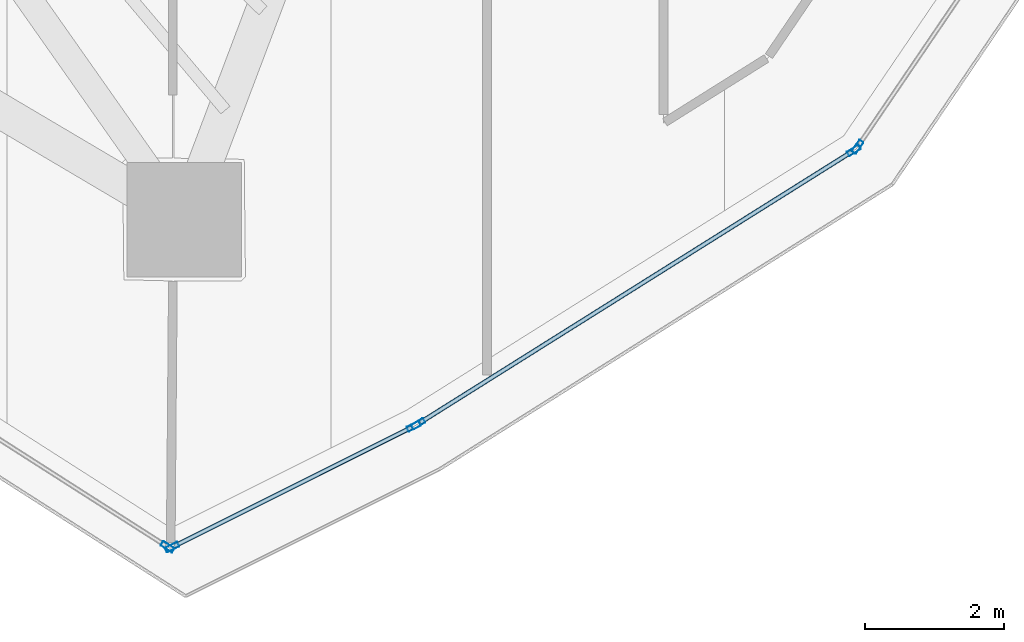
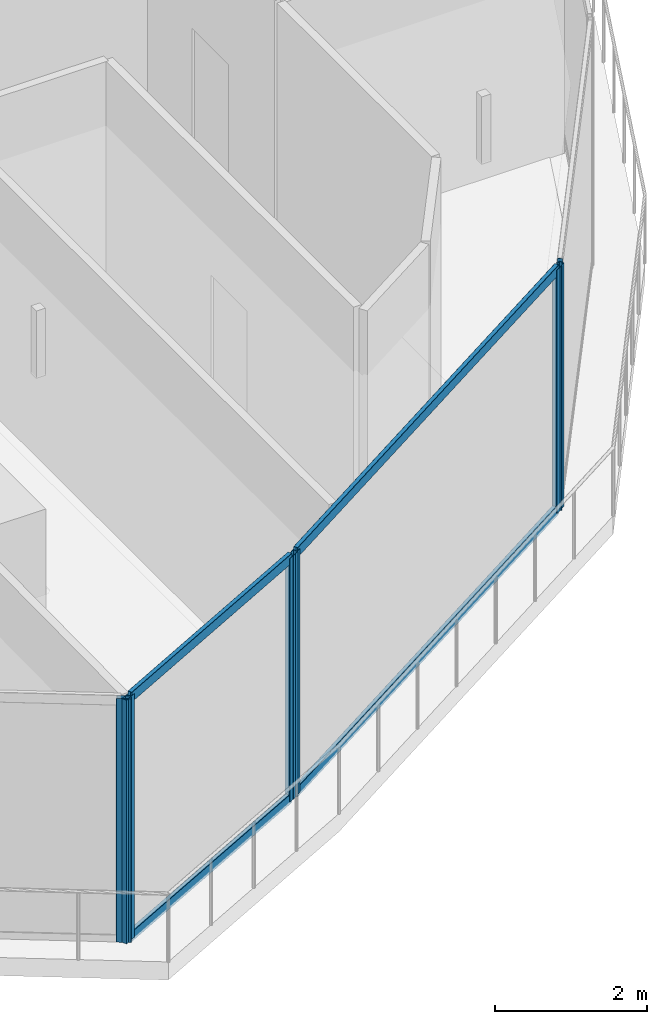
# One storey, part 10 of 33: 10 members, 4 elements without a shape of their own.
"""IFC4 building model written with IfcOpenShell, lengths in metres."""

import ifcopenshell
import ifcopenshell.guid

model = None  # the IFC model being written
_history = None  # IfcOwnerHistory: only IFC2X3 demands one
_inside = {}  # id of a spatial element -> (the spatial element, [elements in it])
_under = {}  # id of a project, library or spatial element -> (it, [spatial elements below it])
_declared = {}  # id of a project -> (the project, [libraries it declares])
_typed = {}  # id of a type object -> (the type object, [elements of that type])
_made_of = {}  # id of a material, layer set ... -> (it, [elements and type objects made of it])


def new_model(schema):
    """Start an empty IFC model of exactly this schema.

    Asked for "IFC4X3", IfcOpenShell would pick the latest addendum, in which some entities
    have other attributes; the version numbers below select the first issue.
    IFC2X3 requires an IfcOwnerHistory on every rooted entity: one is made here for all.
    """
    global model, _history
    if schema == "IFC4X3":
        model = ifcopenshell.file(schema_version=(4, 3, 0, 0))
    else:
        model = ifcopenshell.file(schema=schema)
    _inside.clear()
    _under.clear()
    _declared.clear()
    _typed.clear()
    _made_of.clear()
    _history = None
    if model.schema == "IFC2X3":
        org = make("IfcOrganization", Name="unknown")
        user = make(
            "IfcPersonAndOrganization",
            ThePerson=make("IfcPerson", FamilyName="unknown"),
            TheOrganization=org,
        )
        app = make(
            "IfcApplication",
            ApplicationDeveloper=org,
            Version="unknown",
            ApplicationFullName="unknown",
            ApplicationIdentifier="unknown",
        )
        _history = make(
            "IfcOwnerHistory",
            OwningUser=user,
            OwningApplication=app,
            ChangeAction="ADDED",
            CreationDate=0,
        )
    return model


def make(cls, **values):
    """One entity of the class cls with the attributes given. An attribute that is None is left unset."""
    return model.create_entity(
        cls, **{name: value for name, value in values.items() if value is not None}
    )


def rooted(cls, **values):
    """An entity with a GlobalId (a new one), such as an element, a storey or a relation."""
    return make(cls, GlobalId=ifcopenshell.guid.new(), OwnerHistory=_history, **values)


def si_unit(unit_type, name, prefix=None):
    """IfcSIUnit, for example si_unit("LENGTHUNIT", "METRE", prefix="MILLI")."""
    return make("IfcSIUnit", UnitType=unit_type, Prefix=prefix, Name=name)


def assignment(units):
    """IfcUnitAssignment: the units of a project."""
    return None if units is None else make("IfcUnitAssignment", Units=units)


def point(xyz):
    """IfcCartesianPoint."""
    return None if xyz is None else make("IfcCartesianPoint", Coordinates=xyz)


def direction(xyz):
    """IfcDirection."""
    return None if xyz is None else make("IfcDirection", DirectionRatios=xyz)


def frame(location, z_axis=None, x_axis=None):
    """IfcAxis2Placement3D, a coordinate frame: its origin and axes. An axis left out is left unset."""
    return make(
        "IfcAxis2Placement3D",
        Location=point(location),
        Axis=direction(z_axis),
        RefDirection=direction(x_axis),
    )


def frame_2d(location, x_axis=None):
    """IfcAxis2Placement2D, a coordinate frame in the plane: its origin and x axis."""
    return make(
        "IfcAxis2Placement2D", Location=point(location), RefDirection=direction(x_axis)
    )


def origin():
    """The frame at (0, 0, 0) with its axes left unset."""
    return frame((0.0, 0.0, 0.0))


def origin_2d():
    """The frame at (0, 0) in the plane with its x axis left unset."""
    return frame_2d((0.0, 0.0))


def place(relative_to, where):
    """IfcLocalPlacement: puts the frame where relative to a parent placement (None: the world)."""
    return make(
        "IfcLocalPlacement", PlacementRelTo=relative_to, RelativePlacement=where
    )


def context(
    kind, dimensions, precision=None, world=None, true_north=None, identifier=None
):
    """IfcGeometricRepresentationContext, for example the 3D "Model" context."""
    return make(
        "IfcGeometricRepresentationContext",
        ContextIdentifier=identifier,
        ContextType=kind,
        CoordinateSpaceDimension=dimensions,
        Precision=precision,
        WorldCoordinateSystem=world,
        TrueNorth=true_north,
    )


def subcontext(parent, identifier, kind, view, scale=None):
    """IfcGeometricRepresentationSubContext, for example "Body" below "Model"."""
    return make(
        "IfcGeometricRepresentationSubContext",
        ContextIdentifier=identifier,
        ContextType=kind,
        ParentContext=parent,
        TargetScale=scale,
        TargetView=view,
    )


def project(units=None, contexts=None):
    """IfcProject with its units and contexts."""
    return rooted(
        "IfcProject",
        Name="project",
        RepresentationContexts=contexts,
        UnitsInContext=assignment(units),
    )


def spatial(cls, under=None, at=None, **own):
    """A site, building, storey or space (cls), placed at a placement, below another one or the project."""
    s = rooted(cls, ObjectPlacement=at, **own)
    if under is not None:
        _under.setdefault(under.id(), (under, []))[1].append(s)
    return s


def profile(cls, at=None, kind="AREA", **sizes):
    """A parametric profile (cls). Its sizes go by their IFC names, for example OverallWidth=200.0."""
    return make(cls, ProfileType=kind, Position=at, **sizes)


def hollow_rectangle(**sizes):
    """IfcRectangleHollowProfileDef."""
    return profile("IfcRectangleHollowProfileDef", **sizes)


def extrude(swept, where, along, depth):
    """IfcExtrudedAreaSolid: the profile swept, set in the frame where, extruded along a direction by depth."""
    return make(
        "IfcExtrudedAreaSolid",
        SweptArea=swept,
        Position=where,
        ExtrudedDirection=direction(along),
        Depth=depth,
    )


def shape(context_of_items, identifier, shape_type, items):
    """IfcShapeRepresentation: the items that make up one representation, for example the "Body"."""
    return make(
        "IfcShapeRepresentation",
        ContextOfItems=context_of_items,
        RepresentationIdentifier=identifier,
        RepresentationType=shape_type,
        Items=items,
    )


def material(Name=None, Category=None):
    """IfcMaterial."""
    return make("IfcMaterial", Name=Name, Category=Category)


def layer(
    of_material, thickness, ventilated=None, Name=None, Category=None, Priority=None
):
    """IfcMaterialLayer: one layer of a wall or slab, of a material (None: an air gap)."""
    return make(
        "IfcMaterialLayer",
        Material=of_material,
        LayerThickness=thickness,
        IsVentilated=ventilated,
        Name=Name,
        Category=Category,
        Priority=Priority,
    )


def layer_set(layers, Name=None):
    """IfcMaterialLayerSet."""
    return make("IfcMaterialLayerSet", MaterialLayers=layers, LayerSetName=Name)


def material_profile(
    of_material, cross_section, Name=None, Category=None, Priority=None
):
    """IfcMaterialProfile: a cross section and its material."""
    return make(
        "IfcMaterialProfile",
        Name=Name,
        Material=of_material,
        Profile=cross_section,
        Priority=Priority,
        Category=Category,
    )


def profile_set(profiles, Name=None, composite=None):
    """IfcMaterialProfileSet."""
    return make(
        "IfcMaterialProfileSet",
        Name=Name,
        MaterialProfiles=profiles,
        CompositeProfile=composite,
    )


def made_of(thing, what):
    """Note that an element or type object is made of a material, layer set ...; save() writes the relation."""
    if what is not None:
        _made_of.setdefault(what.id(), (what, []))[1].append(thing)
    return thing


def type_object(cls, material=None, **own):
    """A type object (cls), such as IfcWallType, which elements share."""
    return made_of(rooted(cls, **own), material)


def element(
    cls,
    number,
    at=None,
    inside=None,
    cuts=None,
    type_object=None,
    material=None,
    context=None,
    identifier="Body",
    shape_type=None,
    held_by="IfcProductDefinitionShape",
    body=None,
    shapes=None,
    **own,
):
    """One element of the class cls, such as IfcWall. Its Tag is "e" and its number.

    at: its placement. inside: the storey or other place that contains it. cuts: it is an
    opening in that element (IfcRelVoidsElement). A single representation is given by context,
    identifier, shape_type and body (its items); several are given by shapes. held_by: the class
    of the entity that holds the representations. save() writes the other relations.
    """
    e = rooted(cls, Tag="e%d" % number, ObjectPlacement=at, **own)
    if body is not None:
        shapes = [shape(context, identifier, shape_type, body)]
    if shapes is not None:
        e.Representation = make(held_by, Representations=shapes)
    if inside is not None:
        _inside.setdefault(inside.id(), (inside, []))[1].append(e)
    if cuts is not None:
        rooted(
            "IfcRelVoidsElement", RelatingBuildingElement=cuts, RelatedOpeningElement=e
        )
    if type_object is not None:
        _typed.setdefault(type_object.id(), (type_object, []))[1].append(e)
    return made_of(e, material)


def aggregate(whole, parts):
    """IfcRelAggregates: a whole, such as a stair, and the parts it consists of."""
    return rooted("IfcRelAggregates", RelatingObject=whole, RelatedObjects=parts)


def save(model, path):
    """Write the relations noted so far, then the file.

    IfcRelAggregates (storeys below a building ...), IfcRelContainedInSpatialStructure (elements
    in a storey), IfcRelDefinesByType, IfcRelAssociatesMaterial and IfcRelDeclares: one each for
    every whole, place, type object, material and project.
    """
    for whole, parts in _under.values():
        aggregate(whole, parts)
    for where, things in _inside.values():
        rooted(
            "IfcRelContainedInSpatialStructure",
            RelatedElements=things,
            RelatingStructure=where,
        )
    for kind, things in _typed.values():
        rooted("IfcRelDefinesByType", RelatedObjects=things, RelatingType=kind)
    for what, things in _made_of.values():
        rooted("IfcRelAssociatesMaterial", RelatedObjects=things, RelatingMaterial=what)
    for by, libraries in _declared.values():
        rooted("IfcRelDeclares", RelatingContext=by, RelatedDefinitions=libraries)
    model.write(path)


model = new_model("IFC4")

# Units and contexts
model_context = context("Model", 3, precision=1e-05, world=origin(), true_north=direction((0.0, 1.0)))
body_context = subcontext(model_context, "Body", "Model", "MODEL_VIEW")
ifc_project = project(units=[si_unit("LENGTHUNIT", "METRE"), si_unit("AREAUNIT", "SQUARE_METRE"), si_unit("VOLUMEUNIT", "CUBIC_METRE"), si_unit("PLANEANGLEUNIT", "RADIAN"), si_unit("MASSUNIT", "GRAM", prefix="KILO")], contexts=[model_context])

# Site, building, storey
site_placement = place(None, origin())
site = spatial("IfcSite", under=ifc_project, at=site_placement, CompositionType="ELEMENT")
building_placement = place(site_placement, origin())
building = spatial("IfcBuilding", under=site, at=building_placement, Name="Qorvath Tower", CompositionType="ELEMENT")
storey_placement = place(building_placement, frame((0.0, 0.0, 280.800048828125)))
storey = spatial("IfcBuildingStorey", under=building, at=storey_placement, Name="L65", CompositionType="ELEMENT", Elevation=280.800048828125)

# Curtain wall, member
ifc_material_1 = material(Name="Anodised aluminium and triple low-E glass", Category="aluminium")
ifc_layer = layer(ifc_material_1, 0.179931640625)
ifc_layer_set = layer_set([ifc_layer], Name="CW-SYS-4")
curtain_wall_type = type_object("IfcCurtainWallType", Name="CW-SYS-4", PredefinedType="NOTDEFINED", material=ifc_layer_set)
curtain_wall_1_placement = place(storey_placement, origin())
curtain_wall_1 = element("IfcCurtainWall", 1, at=curtain_wall_1_placement, inside=storey, type_object=curtain_wall_type, Name="Curtain Wall CW-4 CW-T-L65-2.2", PredefinedType="NOTDEFINED")
ifc_material_2 = material(Name="Anodised aluminium 6063-T6", Category="aluminium")
ifc_material_profile_1 = material_profile(ifc_material_2, hollow_rectangle(XDim=0.074951171875, YDim=0.199951171875, WallThickness=0.00390625, InnerFilletRadius=0.00390625, OuterFilletRadius=0.008056640625, at=origin_2d()), Name="CWM 200x75")
ifc_profile_set_1 = profile_set([ifc_material_profile_1], Name="Anodised aluminium 6063-T6")
member_type_1 = type_object("IfcMemberType", Name="CWM-200", PredefinedType="MULLION", material=ifc_profile_set_1)
member_1_placement = place(storey_placement, frame((-17.752197265625, -24.817626953125, 0.0), z_axis=(0.0, 0.0, 1.0), x_axis=(0.53853689025, 0.842601933204, 0.0)))
member_1 = element("IfcMember", 2, at=member_1_placement, type_object=member_type_1, Name="CW-4 mullion 5", PredefinedType="MULLION", context=body_context, shape_type="SweptSolid", body=[
    extrude(hollow_rectangle(XDim=0.074951171875, YDim=0.199951171875, WallThickness=0.00390625, InnerFilletRadius=0.00390625, OuterFilletRadius=0.008056640625, at=origin_2d()), origin(), (0.0, 0.0, 1.0), 3.909912109375),
])
aggregate(curtain_wall_1, [member_1])

# Curtain wall, members
curtain_wall_2_placement = place(storey_placement, origin())
curtain_wall_2 = element("IfcCurtainWall", 3, at=curtain_wall_2_placement, inside=storey, type_object=curtain_wall_type, Name="Curtain Wall CW-4 CW-T-L65-3.1", PredefinedType="NOTDEFINED")
member_2_placement = place(storey_placement, frame((-17.687255859375, -24.821044921875, 0.0), z_axis=(0.0, 0.0, 1.0), x_axis=(-0.447223678296, 0.894422149531, 0.0)))
member_2 = element("IfcMember", 4, at=member_2_placement, type_object=member_type_1, Name="CW-4 mullion 1", PredefinedType="MULLION", context=body_context, shape_type="SweptSolid", body=[
    extrude(hollow_rectangle(XDim=0.074951171875, YDim=0.199951171875, WallThickness=0.00390625, InnerFilletRadius=0.00390625, OuterFilletRadius=0.008056640625, at=origin_2d()), origin(), (0.0, 0.0, 1.0), 3.909912109375),
])
member_3_placement = place(storey_placement, frame((-14.2060546875, -23.08056640625, 0.0), z_axis=(0.0, 0.0, 1.0), x_axis=(-0.447223678296, 0.894422149531, 0.0)))
member_3 = element("IfcMember", 5, at=member_3_placement, type_object=member_type_1, Name="CW-4 mullion 2", PredefinedType="MULLION", context=body_context, shape_type="SweptSolid", body=[
    extrude(hollow_rectangle(XDim=0.074951171875, YDim=0.199951171875, WallThickness=0.00390625, InnerFilletRadius=0.00390625, OuterFilletRadius=0.008056640625, at=origin_2d()), origin(), (0.0, 0.0, 1.0), 3.909912109375),
])

curtain_wall_3_placement = place(storey_placement, origin())
curtain_wall_3 = element("IfcCurtainWall", 6, at=curtain_wall_3_placement, inside=storey, type_object=curtain_wall_type, Name="Curtain Wall CW-4 CW-T-L65-4.1", PredefinedType="NOTDEFINED")
member_4_placement = place(storey_placement, frame((-14.140625, -23.043701171875, 0.0), z_axis=(0.0, 0.0, 1.0), x_axis=(-0.531481109944, 0.847070144541, 0.0)))
member_4 = element("IfcMember", 7, at=member_4_placement, type_object=member_type_1, Name="CW-4 mullion 1", PredefinedType="MULLION", context=body_context, shape_type="SweptSolid", body=[
    extrude(hollow_rectangle(XDim=0.074951171875, YDim=0.199951171875, WallThickness=0.00390625, InnerFilletRadius=0.00390625, OuterFilletRadius=0.008056640625, at=origin_2d()), origin(), (0.0, 0.0, 1.0), 3.909912109375),
])
member_5_placement = place(storey_placement, frame((-7.86328125, -19.105224609375, 0.0), z_axis=(0.0, 0.0, 1.0), x_axis=(-0.531481109944, 0.847070144541, 0.0)))
member_5 = element("IfcMember", 8, at=member_5_placement, type_object=member_type_1, Name="CW-4 mullion 2", PredefinedType="MULLION", context=body_context, shape_type="SweptSolid", body=[
    extrude(hollow_rectangle(XDim=0.074951171875, YDim=0.199951171875, WallThickness=0.00390625, InnerFilletRadius=0.00390625, OuterFilletRadius=0.008056640625, at=origin_2d()), origin(), (0.0, 0.0, 1.0), 3.909912109375),
])

# Curtain wall, member
curtain_wall_4_placement = place(storey_placement, origin())
curtain_wall_4 = element("IfcCurtainWall", 9, at=curtain_wall_4_placement, inside=storey, type_object=curtain_wall_type, Name="Curtain Wall CW-4 CW-T-L65-5.1", PredefinedType="NOTDEFINED")
member_6_placement = place(storey_placement, frame((-7.810546875, -19.05419921875, 0.0), z_axis=(0.0, 0.0, 1.0), x_axis=(-0.827205303431, 0.561899800655, 0.0)))
member_6 = element("IfcMember", 10, at=member_6_placement, type_object=member_type_1, Name="CW-4 mullion 1", PredefinedType="MULLION", context=body_context, shape_type="SweptSolid", body=[
    extrude(hollow_rectangle(XDim=0.074951171875, YDim=0.199951171875, WallThickness=0.00390625, InnerFilletRadius=0.00390625, OuterFilletRadius=0.008056640625, at=origin_2d()), origin(), (0.0, 0.0, 1.0), 3.909912109375),
])
aggregate(curtain_wall_4, [member_6])

# Member
ifc_material_3 = material(Name="Anodised aluminium 6063-T6", Category="aluminium")
ifc_material_profile_2 = material_profile(ifc_material_3, hollow_rectangle(XDim=0.06494140625, YDim=0.159912109375, WallThickness=0.00341796875, InnerFilletRadius=0.00341796875, OuterFilletRadius=0.007080078125, at=origin_2d()), Name="CWT 160x65")
ifc_profile_set_2 = profile_set([ifc_material_profile_2], Name="Anodised aluminium 6063-T6")
member_type_2 = type_object("IfcMemberType", Name="CWT-160", PredefinedType="USERDEFINED", material=ifc_profile_set_2)
member_7_placement = place(storey_placement, frame((-17.653564453125, -24.804443359375, 0.032470703125), z_axis=(0.894401605966, 0.447264761908, 0.0), x_axis=(-0.447264761908, 0.894401605966, 0.0)))
member_7 = element("IfcMember", 11, at=member_7_placement, type_object=member_type_2, Name="CW-4 transom 1.1", ObjectType="TRANSOM", PredefinedType="USERDEFINED", context=body_context, shape_type="SweptSolid", body=[
    extrude(hollow_rectangle(XDim=0.06494140625, YDim=0.159912109375, WallThickness=0.00341796875, InnerFilletRadius=0.00341796875, OuterFilletRadius=0.007080078125, at=origin_2d()), origin(), (0.0, 0.0, 1.0), 3.817138671875),
])

member_8_placement = place(storey_placement, frame((-17.653564453125, -24.804443359375, 3.87744140625), z_axis=(0.894401605966, 0.447264761908, 0.0), x_axis=(-0.447264761908, 0.894401605966, 0.0)))
member_8 = element("IfcMember", 12, at=member_8_placement, type_object=member_type_2, Name="CW-4 transom 1.2", ObjectType="TRANSOM", PredefinedType="USERDEFINED", context=body_context, shape_type="SweptSolid", body=[
    extrude(hollow_rectangle(XDim=0.06494140625, YDim=0.159912109375, WallThickness=0.00341796875, InnerFilletRadius=0.00341796875, OuterFilletRadius=0.007080078125, at=origin_2d()), origin(), (0.0, 0.0, 1.0), 3.817138671875),
])

aggregate(curtain_wall_2, [member_2, member_3, member_7, member_8])

member_9_placement = place(storey_placement, frame((-14.10888671875, -23.02392578125, 0.032470703125), z_axis=(0.84706213177, 0.531493880417, 0.0), x_axis=(-0.531493880417, 0.84706213177, 0.0)))
member_9 = element("IfcMember", 13, at=member_9_placement, type_object=member_type_2, Name="CW-4 transom 1.1", ObjectType="TRANSOM", PredefinedType="USERDEFINED", context=body_context, shape_type="SweptSolid", body=[
    extrude(hollow_rectangle(XDim=0.06494140625, YDim=0.159912109375, WallThickness=0.00341796875, InnerFilletRadius=0.00341796875, OuterFilletRadius=0.007080078125, at=origin_2d()), origin(), (0.0, 0.0, 1.0), 7.335693359375),
])

member_10_placement = place(storey_placement, frame((-14.10888671875, -23.02392578125, 3.87744140625), z_axis=(0.84706213177, 0.531493880417, 0.0), x_axis=(-0.531493880417, 0.84706213177, 0.0)))
member_10 = element("IfcMember", 14, at=member_10_placement, type_object=member_type_2, Name="CW-4 transom 1.2", ObjectType="TRANSOM", PredefinedType="USERDEFINED", context=body_context, shape_type="SweptSolid", body=[
    extrude(hollow_rectangle(XDim=0.06494140625, YDim=0.159912109375, WallThickness=0.00341796875, InnerFilletRadius=0.00341796875, OuterFilletRadius=0.007080078125, at=origin_2d()), origin(), (0.0, 0.0, 1.0), 7.335693359375),
])

aggregate(curtain_wall_3, [member_4, member_5, member_9, member_10])

save(model, "model.ifc")
